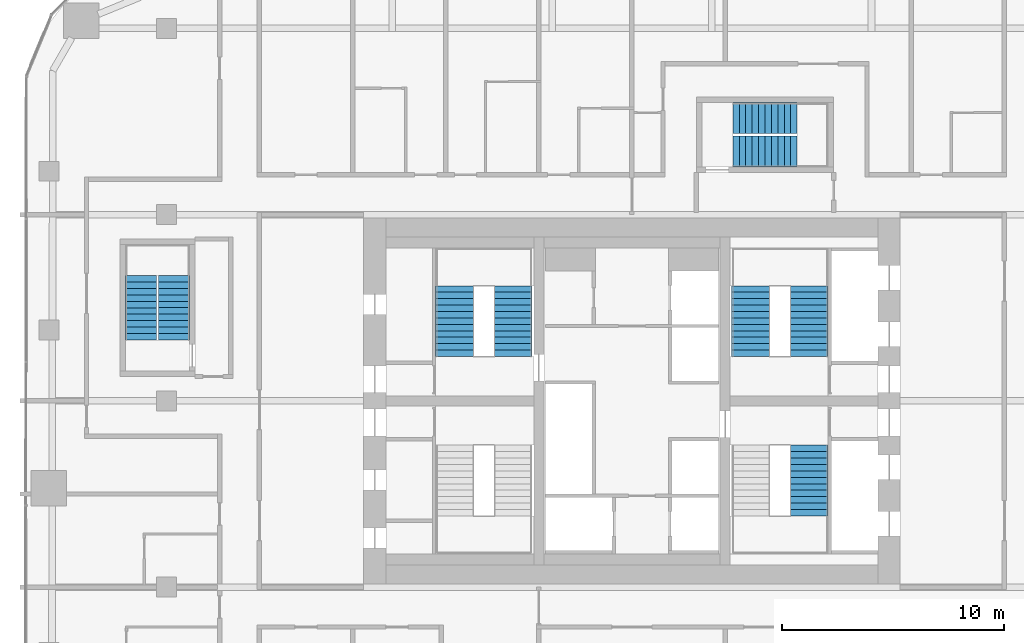
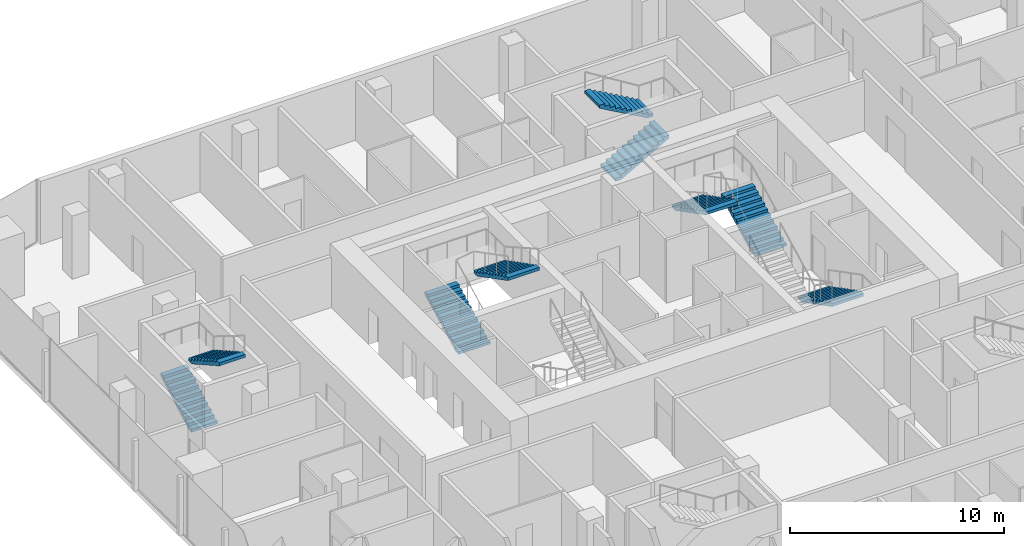
# One storey, part 21 of 23: 9 stair flights, 5 elements without a shape of their own.
"""IFC4 building model written with IfcOpenShell, lengths in metres."""

from ifc_helpers import new_model, si_unit, direction, frame, origin, place, context, subcontext, project, spatial, polyline, outline, extrude, material, type_object, element, aggregate, save


model = new_model("IFC4")

# Units and contexts
model_context = context("Model", 3, precision=1e-05, world=origin(), true_north=direction((0.0, 1.0)))
body_context = subcontext(model_context, "Body", "Model", "MODEL_VIEW")
ifc_project = project(units=[si_unit("LENGTHUNIT", "METRE"), si_unit("AREAUNIT", "SQUARE_METRE"), si_unit("VOLUMEUNIT", "CUBIC_METRE"), si_unit("PLANEANGLEUNIT", "RADIAN"), si_unit("MASSUNIT", "GRAM", prefix="KILO")], contexts=[model_context])

# Site, building, storey
site_placement = place(None, origin())
site = spatial("IfcSite", under=ifc_project, at=site_placement, CompositionType="ELEMENT")
building_placement = place(site_placement, origin())
building = spatial("IfcBuilding", under=site, at=building_placement, Name="Marenta Gate Hotel Tower", CompositionType="ELEMENT")
storey_placement = place(building_placement, frame((0.0, 0.0, 112.10009765625)))
storey = spatial("IfcBuildingStorey", under=building, at=storey_placement, Name="L24", CompositionType="ELEMENT", Elevation=112.10009765625)

# Stair, stair flights
ifc_material_1 = material(Name="Concrete C40", Category="concrete")
stair_type_1 = type_object("IfcStairType", Name="Core exit stair 1700 wide", PredefinedType="HALF_TURN_STAIR", material=ifc_material_1)
stair_1_placement = place(storey_placement, origin())
stair_1 = element("IfcStair", 1, at=stair_1_placement, inside=storey, type_object=stair_type_1, Name="Exit stair 2", PredefinedType="HALF_TURN_STAIR")
ifc_material_2 = material(Name="Concrete C40", Category="concrete")
stair_flight_type_1 = type_object("IfcStairFlightType", Name="Core stair flight 1700 riser 150.0 going 290", PredefinedType="STRAIGHT", material=ifc_material_2)
stair_flight_1_placement = place(storey_placement, frame((-8.0, 10.39990234375, 0.0), z_axis=(0.0, 0.0, 1.0), x_axis=(0.0, 1.0, 0.0)))
stair_flight_1 = element("IfcStairFlight", 2, at=stair_flight_1_placement, type_object=stair_flight_type_1, Name="ST2 flight 1", NumberOfRisers=12, NumberOfTreads=11, PredefinedType="STRAIGHT", RiserHeight=0.15, TreadLength=0.29, context=body_context, shape_type="SweptSolid", body=[
    extrude(outline(polyline([(0.0, 0.0), (0.0, 0.14990234375), (0.2900390625, 0.14990234375), (0.2900390625, 0.300048828125), (0.580078125, 0.300048828125), (0.580078125, 0.449951171875), (0.8701171875, 0.449951171875), (0.8701171875, 0.60009765625), (1.159912109375, 0.60009765625), (1.159912109375, 0.75), (1.449951171875, 0.75), (1.449951171875, 0.89990234375), (1.739990234375, 0.89990234375), (1.739990234375, 1.050048828125), (2.030029296875, 1.050048828125), (2.030029296875, 1.199951171875), (2.320068359375, 1.199951171875), (2.320068359375, 1.35009765625), (2.610107421875, 1.35009765625), (2.610107421875, 1.5), (2.89990234375, 1.5), (2.89990234375, 1.64990234375), (3.18994140625, 1.64990234375), (3.18994140625, 1.800048828125), (3.18994140625, 1.481201171875), (0.326171875, 0.0), (0.0, 0.0)])), frame((0.0, 0.85009765625, 0.0), z_axis=(0.0, -1.0, 0.0), x_axis=(1.0, 0.0, 0.0)), (0.0, 0.0, 1.0), 1.699951171875),
])
stair_flight_2_placement = place(storey_placement, frame((-5.35009765625, 13.590087890625, 1.7998046875), z_axis=(0.0, 0.0, 1.0), x_axis=(0.0, -1.0, 0.0)))
stair_flight_2 = element("IfcStairFlight", 3, at=stair_flight_2_placement, type_object=stair_flight_type_1, Name="ST2 flight 2", NumberOfRisers=12, NumberOfTreads=11, PredefinedType="STRAIGHT", RiserHeight=0.15, TreadLength=0.29, context=body_context, shape_type="SweptSolid", body=[
    extrude(outline(polyline([(0.0, 0.0), (0.0, 0.14990234375), (0.2900390625, 0.14990234375), (0.2900390625, 0.300048828125), (0.580078125, 0.300048828125), (0.580078125, 0.449951171875), (0.8701171875, 0.449951171875), (0.8701171875, 0.60009765625), (1.159912109375, 0.60009765625), (1.159912109375, 0.75), (1.449951171875, 0.75), (1.449951171875, 0.89990234375), (1.739990234375, 0.89990234375), (1.739990234375, 1.050048828125), (2.030029296875, 1.050048828125), (2.030029296875, 1.199951171875), (2.320068359375, 1.199951171875), (2.320068359375, 1.35009765625), (2.610107421875, 1.35009765625), (2.610107421875, 1.5), (2.89990234375, 1.5), (2.89990234375, 1.64990234375), (3.18994140625, 1.64990234375), (3.18994140625, 1.800048828125), (3.18994140625, 1.481201171875), (0.326171875, 0.0), (0.0, 0.0)])), frame((0.0, 0.85009765625, 0.0), z_axis=(0.0, -1.0, 0.0), x_axis=(1.0, 0.0, 0.0)), (0.0, 0.0, 1.0), 1.699951171875),
])
aggregate(stair_1, [stair_flight_1, stair_flight_2])

# Stair, stair flight
stair_2_placement = place(storey_placement, origin())
stair_2 = element("IfcStair", 4, at=stair_2_placement, inside=storey, type_object=stair_type_1, Name="Exit stair 3", PredefinedType="HALF_TURN_STAIR")
stair_flight_3_placement = place(storey_placement, frame((8.0, 6.39990234375, 0.0), z_axis=(0.0, 0.0, 1.0), x_axis=(0.0, -1.0, 0.0)))
stair_flight_3 = element("IfcStairFlight", 5, at=stair_flight_3_placement, type_object=stair_flight_type_1, Name="ST3 flight 1", NumberOfRisers=12, NumberOfTreads=11, PredefinedType="STRAIGHT", RiserHeight=0.15, TreadLength=0.29, context=body_context, shape_type="SweptSolid", body=[
    extrude(outline(polyline([(0.0, 0.0), (0.0, 0.14990234375), (0.2900390625, 0.14990234375), (0.2900390625, 0.300048828125), (0.580078125, 0.300048828125), (0.580078125, 0.449951171875), (0.8701171875, 0.449951171875), (0.8701171875, 0.60009765625), (1.159912109375, 0.60009765625), (1.159912109375, 0.75), (1.449951171875, 0.75), (1.449951171875, 0.89990234375), (1.739990234375, 0.89990234375), (1.739990234375, 1.050048828125), (2.030029296875, 1.050048828125), (2.030029296875, 1.199951171875), (2.320068359375, 1.199951171875), (2.320068359375, 1.35009765625), (2.610107421875, 1.35009765625), (2.610107421875, 1.5), (2.89990234375, 1.5), (2.89990234375, 1.64990234375), (3.18994140625, 1.64990234375), (3.18994140625, 1.800048828125), (3.18994140625, 1.481201171875), (0.326171875, 0.0), (0.0, 0.0)])), frame((0.0, 0.85009765625, 0.0), z_axis=(0.0, -1.0, 0.0), x_axis=(1.0, 0.0, 0.0)), (0.0, 0.0, 1.0), 1.699951171875),
])
aggregate(stair_2, [stair_flight_3])

# Stair, stair flights
stair_3_placement = place(storey_placement, origin())
stair_3 = element("IfcStair", 6, at=stair_3_placement, inside=storey, type_object=stair_type_1, Name="Exit stair 4", PredefinedType="HALF_TURN_STAIR")
stair_flight_4_placement = place(storey_placement, frame((8.0, 10.39990234375, 0.0), z_axis=(0.0, 0.0, 1.0), x_axis=(0.0, 1.0, 0.0)))
stair_flight_4 = element("IfcStairFlight", 7, at=stair_flight_4_placement, type_object=stair_flight_type_1, Name="ST4 flight 1", NumberOfRisers=12, NumberOfTreads=11, PredefinedType="STRAIGHT", RiserHeight=0.15, TreadLength=0.29, context=body_context, shape_type="SweptSolid", body=[
    extrude(outline(polyline([(0.0, 0.0), (0.0, 0.14990234375), (0.2900390625, 0.14990234375), (0.2900390625, 0.300048828125), (0.580078125, 0.300048828125), (0.580078125, 0.449951171875), (0.8701171875, 0.449951171875), (0.8701171875, 0.60009765625), (1.159912109375, 0.60009765625), (1.159912109375, 0.75), (1.449951171875, 0.75), (1.449951171875, 0.89990234375), (1.739990234375, 0.89990234375), (1.739990234375, 1.050048828125), (2.030029296875, 1.050048828125), (2.030029296875, 1.199951171875), (2.320068359375, 1.199951171875), (2.320068359375, 1.35009765625), (2.610107421875, 1.35009765625), (2.610107421875, 1.5), (2.89990234375, 1.5), (2.89990234375, 1.64990234375), (3.18994140625, 1.64990234375), (3.18994140625, 1.800048828125), (3.18994140625, 1.481201171875), (0.326171875, 0.0), (0.0, 0.0)])), frame((0.0, 0.85009765625, 0.0), z_axis=(0.0, -1.0, 0.0), x_axis=(1.0, 0.0, 0.0)), (0.0, 0.0, 1.0), 1.699951171875),
])
stair_flight_5_placement = place(storey_placement, frame((5.35009765625, 13.590087890625, 1.7998046875), z_axis=(0.0, 0.0, 1.0), x_axis=(0.0, -1.0, 0.0)))
stair_flight_5 = element("IfcStairFlight", 8, at=stair_flight_5_placement, type_object=stair_flight_type_1, Name="ST4 flight 2", NumberOfRisers=12, NumberOfTreads=11, PredefinedType="STRAIGHT", RiserHeight=0.15, TreadLength=0.29, context=body_context, shape_type="SweptSolid", body=[
    extrude(outline(polyline([(0.0, 0.0), (0.0, 0.14990234375), (0.2900390625, 0.14990234375), (0.2900390625, 0.300048828125), (0.580078125, 0.300048828125), (0.580078125, 0.449951171875), (0.8701171875, 0.449951171875), (0.8701171875, 0.60009765625), (1.159912109375, 0.60009765625), (1.159912109375, 0.75), (1.449951171875, 0.75), (1.449951171875, 0.89990234375), (1.739990234375, 0.89990234375), (1.739990234375, 1.050048828125), (2.030029296875, 1.050048828125), (2.030029296875, 1.199951171875), (2.320068359375, 1.199951171875), (2.320068359375, 1.35009765625), (2.610107421875, 1.35009765625), (2.610107421875, 1.5), (2.89990234375, 1.5), (2.89990234375, 1.64990234375), (3.18994140625, 1.64990234375), (3.18994140625, 1.800048828125), (3.18994140625, 1.481201171875), (0.326171875, 0.0), (0.0, 0.0)])), frame((0.0, 0.85009765625, 0.0), z_axis=(0.0, -1.0, 0.0), x_axis=(1.0, 0.0, 0.0)), (0.0, 0.0, 1.0), 1.699951171875),
])
aggregate(stair_3, [stair_flight_4, stair_flight_5])

ifc_material_3 = material(Name="Concrete C40", Category="concrete")
stair_type_2 = type_object("IfcStairType", Name="Remote exit stair 1400 wide", PredefinedType="HALF_TURN_STAIR", material=ifc_material_3)
stair_4_placement = place(storey_placement, origin())
stair_4 = element("IfcStair", 9, at=stair_4_placement, inside=storey, type_object=stair_type_2, Name="Exit stair RS-Z1-3", PredefinedType="HALF_TURN_STAIR")
ifc_material_4 = material(Name="Concrete C40", Category="concrete")
stair_flight_type_2 = type_object("IfcStairFlightType", Name="Remote stair flight 1400 riser 163.6 going 290", PredefinedType="STRAIGHT", material=ifc_material_4)
stair_flight_6_placement = place(storey_placement, frame((-22.14990234375, 11.14990234375, 0.0), z_axis=(0.0, 0.0, 1.0), x_axis=(0.0, 1.0, 0.0)))
stair_flight_6 = element("IfcStairFlight", 10, at=stair_flight_6_placement, type_object=stair_flight_type_2, Name="RS-Z1-3 flight 1", NumberOfRisers=11, NumberOfTreads=10, PredefinedType="STRAIGHT", RiserHeight=0.163636, TreadLength=0.29, context=body_context, shape_type="SweptSolid", body=[
    extrude(outline(polyline([(0.0, 0.0), (0.0, 0.16357421875), (0.2900390625, 0.16357421875), (0.2900390625, 0.327392578125), (0.580078125, 0.327392578125), (0.580078125, 0.490966796875), (0.8701171875, 0.490966796875), (0.8701171875, 0.654541015625), (1.159912109375, 0.654541015625), (1.159912109375, 0.818115234375), (1.449951171875, 0.818115234375), (1.449951171875, 0.98193359375), (1.739990234375, 0.98193359375), (1.739990234375, 1.1455078125), (2.030029296875, 1.1455078125), (2.030029296875, 1.30908203125), (2.320068359375, 1.30908203125), (2.320068359375, 1.47265625), (2.610107421875, 1.47265625), (2.610107421875, 1.636474609375), (2.89990234375, 1.636474609375), (2.89990234375, 1.800048828125), (2.89990234375, 1.46435546875), (0.304931640625, 0.0), (0.0, 0.0)])), frame((0.0, 0.699951171875, 0.0), z_axis=(0.0, -1.0, 0.0), x_axis=(1.0, 0.0, 0.0)), (0.0, 0.0, 1.0), 1.39990234375),
])
stair_flight_7_placement = place(storey_placement, frame((-20.64990234375, 14.050048828125, 1.7998046875), z_axis=(0.0, 0.0, 1.0), x_axis=(0.0, -1.0, 0.0)))
stair_flight_7 = element("IfcStairFlight", 11, at=stair_flight_7_placement, type_object=stair_flight_type_2, Name="RS-Z1-3 flight 2", NumberOfRisers=11, NumberOfTreads=10, PredefinedType="STRAIGHT", RiserHeight=0.163636, TreadLength=0.29, context=body_context, shape_type="SweptSolid", body=[
    extrude(outline(polyline([(0.0, 0.0), (0.0, 0.16357421875), (0.2900390625, 0.16357421875), (0.2900390625, 0.327392578125), (0.580078125, 0.327392578125), (0.580078125, 0.490966796875), (0.8701171875, 0.490966796875), (0.8701171875, 0.654541015625), (1.159912109375, 0.654541015625), (1.159912109375, 0.818115234375), (1.449951171875, 0.818115234375), (1.449951171875, 0.98193359375), (1.739990234375, 0.98193359375), (1.739990234375, 1.1455078125), (2.030029296875, 1.1455078125), (2.030029296875, 1.30908203125), (2.320068359375, 1.30908203125), (2.320068359375, 1.47265625), (2.610107421875, 1.47265625), (2.610107421875, 1.636474609375), (2.89990234375, 1.636474609375), (2.89990234375, 1.800048828125), (2.89990234375, 1.46435546875), (0.304931640625, 0.0), (0.0, 0.0)])), frame((0.0, 0.699951171875, 0.0), z_axis=(0.0, -1.0, 0.0), x_axis=(1.0, 0.0, 0.0)), (0.0, 0.0, 1.0), 1.39990234375),
])
aggregate(stair_4, [stair_flight_6, stair_flight_7])

stair_5_placement = place(storey_placement, origin())
stair_5 = element("IfcStair", 12, at=stair_5_placement, inside=storey, type_object=stair_type_2, Name="Exit stair RS-Z2-4", PredefinedType="HALF_TURN_STAIR")
stair_flight_8_placement = place(storey_placement, frame((4.550048828125, 19.64990234375, 0.0), z_axis=(0.0, 0.0, 1.0), x_axis=(1.0, 0.0, 0.0)))
stair_flight_8 = element("IfcStairFlight", 13, at=stair_flight_8_placement, type_object=stair_flight_type_2, Name="RS-Z2-4 flight 1", NumberOfRisers=11, NumberOfTreads=10, PredefinedType="STRAIGHT", RiserHeight=0.163636, TreadLength=0.29, context=body_context, shape_type="SweptSolid", body=[
    extrude(outline(polyline([(0.0, 0.0), (0.0, 0.16357421875), (0.2900390625, 0.16357421875), (0.2900390625, 0.327392578125), (0.580078125, 0.327392578125), (0.580078125, 0.490966796875), (0.8701171875, 0.490966796875), (0.8701171875, 0.654541015625), (1.159912109375, 0.654541015625), (1.159912109375, 0.818115234375), (1.449951171875, 0.818115234375), (1.449951171875, 0.98193359375), (1.739990234375, 0.98193359375), (1.739990234375, 1.1455078125), (2.030029296875, 1.1455078125), (2.030029296875, 1.30908203125), (2.320068359375, 1.30908203125), (2.320068359375, 1.47265625), (2.610107421875, 1.47265625), (2.610107421875, 1.636474609375), (2.89990234375, 1.636474609375), (2.89990234375, 1.800048828125), (2.89990234375, 1.46435546875), (0.304931640625, 0.0), (0.0, 0.0)])), frame((0.0, 0.699951171875, 0.0), z_axis=(0.0, -1.0, 0.0), x_axis=(1.0, 0.0, 0.0)), (0.0, 0.0, 1.0), 1.39990234375),
])
stair_flight_9_placement = place(storey_placement, frame((7.449951171875, 21.14990234375, 1.7998046875), z_axis=(0.0, 0.0, 1.0), x_axis=(-1.0, 0.0, 0.0)))
stair_flight_9 = element("IfcStairFlight", 14, at=stair_flight_9_placement, type_object=stair_flight_type_2, Name="RS-Z2-4 flight 2", NumberOfRisers=11, NumberOfTreads=10, PredefinedType="STRAIGHT", RiserHeight=0.163636, TreadLength=0.29, context=body_context, shape_type="SweptSolid", body=[
    extrude(outline(polyline([(0.0, 0.0), (0.0, 0.16357421875), (0.2900390625, 0.16357421875), (0.2900390625, 0.327392578125), (0.580078125, 0.327392578125), (0.580078125, 0.490966796875), (0.8701171875, 0.490966796875), (0.8701171875, 0.654541015625), (1.159912109375, 0.654541015625), (1.159912109375, 0.818115234375), (1.449951171875, 0.818115234375), (1.449951171875, 0.98193359375), (1.739990234375, 0.98193359375), (1.739990234375, 1.1455078125), (2.030029296875, 1.1455078125), (2.030029296875, 1.30908203125), (2.320068359375, 1.30908203125), (2.320068359375, 1.47265625), (2.610107421875, 1.47265625), (2.610107421875, 1.636474609375), (2.89990234375, 1.636474609375), (2.89990234375, 1.800048828125), (2.89990234375, 1.46435546875), (0.304931640625, 0.0), (0.0, 0.0)])), frame((0.0, 0.699951171875, 0.0), z_axis=(0.0, -1.0, 0.0), x_axis=(1.0, 0.0, 0.0)), (0.0, 0.0, 1.0), 1.39990234375),
])
aggregate(stair_5, [stair_flight_8, stair_flight_9])

save(model, "model.ifc")
